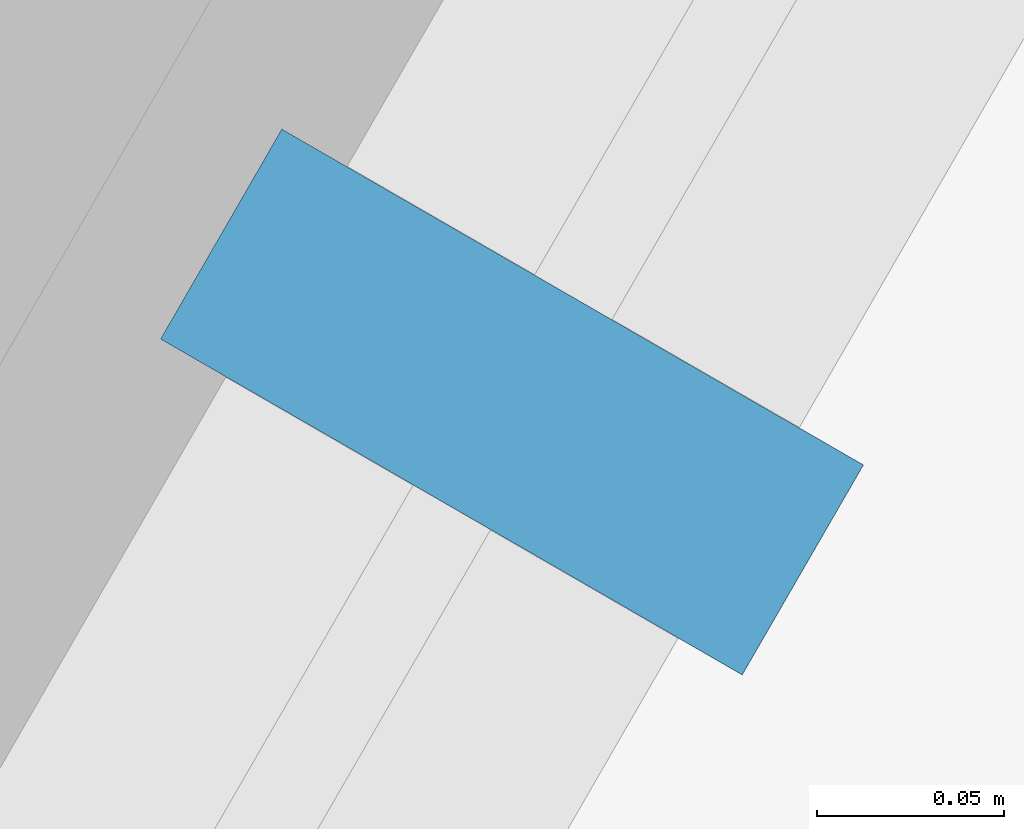
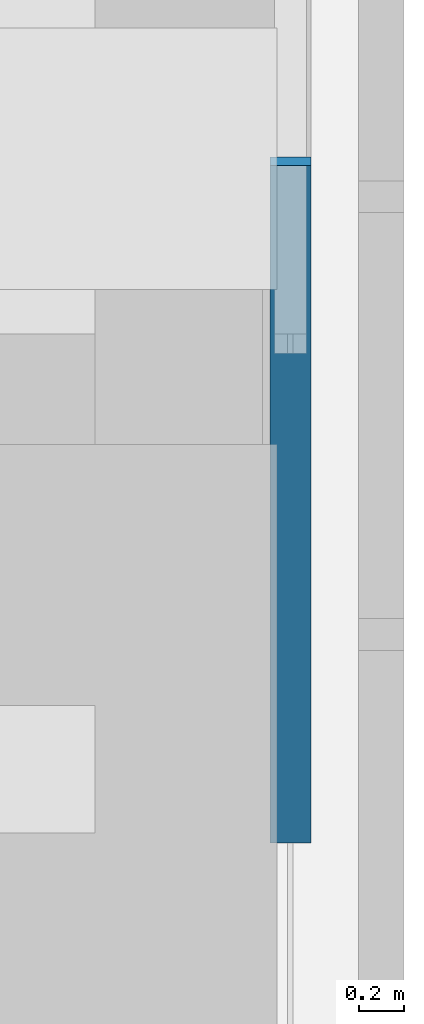
# One storey, part 123 of 256: 1 member, 1 element without a shape of its own.
"""IFC4 building model written with IfcOpenShell, lengths in metres."""

from ifc_helpers import new_model, si_unit, direction, frame, origin, origin_2d, place, context, subcontext, project, spatial, rectangle, extrude, material, material_profile, profile_set, type_object, element, aggregate, save


model = new_model("IFC4")

# Units and contexts
model_context = context("Model", 3, precision=1e-05, world=origin(), true_north=direction((0.0, 1.0)))
body_context = subcontext(model_context, "Body", "Model", "MODEL_VIEW")
ifc_project = project(units=[si_unit("LENGTHUNIT", "METRE"), si_unit("AREAUNIT", "SQUARE_METRE"), si_unit("VOLUMEUNIT", "CUBIC_METRE"), si_unit("PLANEANGLEUNIT", "RADIAN"), si_unit("MASSUNIT", "GRAM", prefix="KILO")], contexts=[model_context])

# Site, building, storey
site_placement = place(None, origin())
site = spatial("IfcSite", under=ifc_project, at=site_placement, CompositionType="ELEMENT")
building_placement = place(site_placement, origin())
building = spatial("IfcBuilding", under=site, at=building_placement, Name="Sandreach Pilgrim Tower", CompositionType="ELEMENT")
storey_placement = place(building_placement, frame((0.0, 0.0, 23.0)))
storey = spatial("IfcBuildingStorey", under=building, at=storey_placement, Name="L04", CompositionType="ELEMENT", Elevation=23.0)

# Curtain wall, member
ifc_material_1 = material(Name="Aluminium framed curtain wall", Category="aluminium")
curtain_wall_type = type_object("IfcCurtainWallType", Name="Hostel tower curtain wall", PredefinedType="NOTDEFINED", material=ifc_material_1)
curtain_wall_placement = place(storey_placement, origin())
curtain_wall = element("IfcCurtainWall", 1, at=curtain_wall_placement, inside=storey, type_object=curtain_wall_type, Name="CW-1 L04 SE", PredefinedType="NOTDEFINED")
ifc_material_2 = material(Name="Aluminium extrusion", Category="aluminium")
ifc_material_profile = material_profile(ifc_material_2, rectangle(XDim=0.06494140625, YDim=0.179931640625, at=origin_2d()), Name="CW-1M 65X180")
ifc_profile_set = profile_set([ifc_material_profile], Name="Aluminium extrusion")
member_type = type_object("IfcMemberType", Name="CW-1 mullion", PredefinedType="MULLION", material=ifc_profile_set)
member_placement = place(storey_placement, frame((26.20458984375, -2.509521484375, 0.0), z_axis=(0.0, 0.0, 1.0), x_axis=(-0.5, -0.866025403784, 0.0)))
member = element("IfcMember", 2, at=member_placement, type_object=member_type, Name="CW-1 mullion 3", PredefinedType="MULLION", context=body_context, shape_type="SweptSolid", body=[
    extrude(rectangle(XDim=0.06494140625, YDim=0.179931640625, at=origin_2d()), origin(), (0.0, 0.0, 1.0), 3.639892578125),
])
aggregate(curtain_wall, [member])

save(model, "model.ifc")
